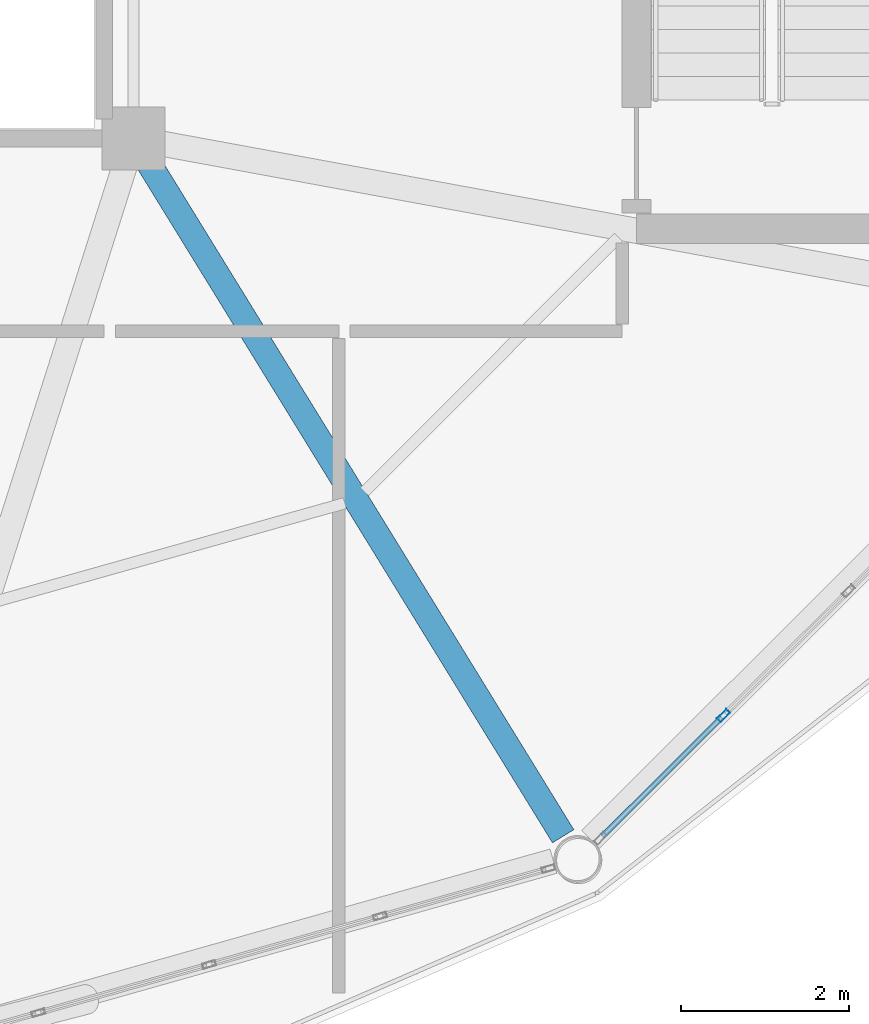
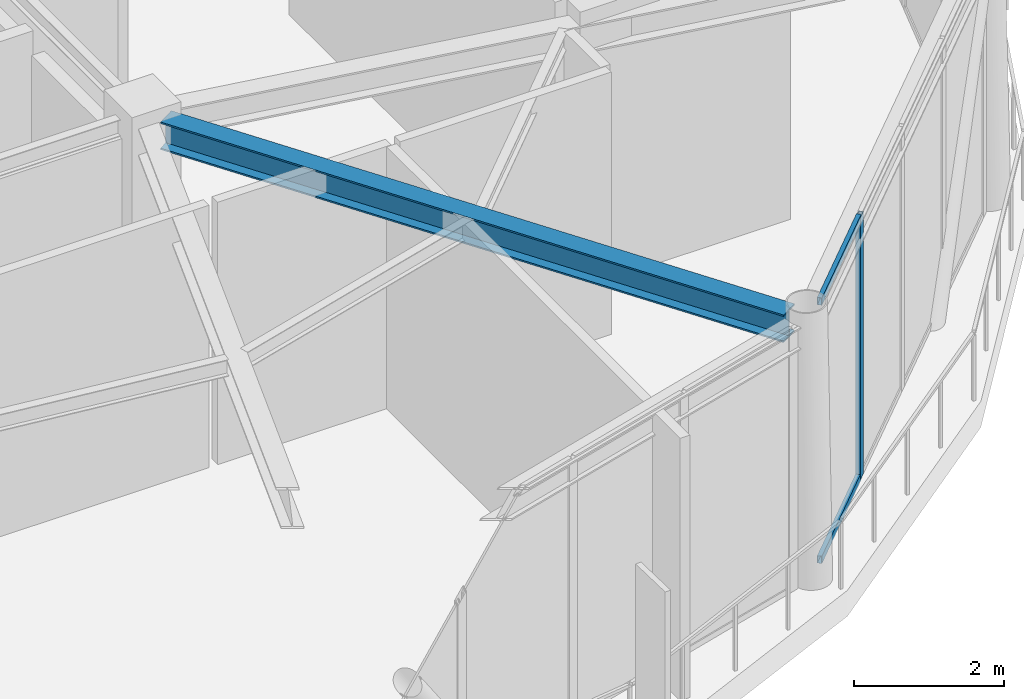
# One storey, part 8 of 26: 3 members, 1 beam, 1 element without a shape of its own.
"""IFC4 building model written with IfcOpenShell, lengths in metres."""

from ifc_helpers import new_model, si_unit, direction, frame, origin, origin_2d, place, context, subcontext, project, spatial, hollow_rectangle, i_section, extrude, material, layer, layer_set, material_profile, profile_set, type_object, element, aggregate, save


model = new_model("IFC4")

# Units and contexts
model_context = context("Model", 3, precision=1e-05, world=origin(), true_north=direction((0.0, 1.0)))
body_context = subcontext(model_context, "Body", "Model", "MODEL_VIEW")
ifc_project = project(units=[si_unit("LENGTHUNIT", "METRE"), si_unit("AREAUNIT", "SQUARE_METRE"), si_unit("VOLUMEUNIT", "CUBIC_METRE"), si_unit("PLANEANGLEUNIT", "RADIAN"), si_unit("MASSUNIT", "GRAM", prefix="KILO")], contexts=[model_context])

# Site, building, storey
site_placement = place(None, origin())
site = spatial("IfcSite", under=ifc_project, at=site_placement, CompositionType="ELEMENT")
building_placement = place(site_placement, origin())
building = spatial("IfcBuilding", under=site, at=building_placement, Name="Varnakorn Sky Granary", CompositionType="ELEMENT")
storey_placement = place(building_placement, frame((0.0, 0.0, 289.5)))
storey = spatial("IfcBuildingStorey", under=building, at=storey_placement, Name="L74", CompositionType="ELEMENT", Elevation=289.5)

# Beam
ifc_material_1 = material(Name="Steel S355JR", Category="steel")
ifc_material_profile_1 = material_profile(ifc_material_1, i_section(OverallWidth=0.300048828125, OverallDepth=0.449951171875, WebThickness=0.013916015625, FlangeThickness=0.02587890625, at=origin_2d()), Name="HE 450 B")
ifc_profile_set_1 = profile_set([ifc_material_profile_1], Name="Steel S355JR")
beam_type = type_object("IfcBeamType", Name="BM-RAD-Z5", PredefinedType="BEAM", material=ifc_profile_set_1)
beam_placement = place(storey_placement, frame((8.5361328125, -6.90234375, 4.034912109375), z_axis=(0.524301268374, -0.851532841399, 0.0), x_axis=(0.851532841399, 0.524301268374, 0.0)))
element("IfcBeam", 1, at=beam_placement, inside=storey, type_object=beam_type, Name="Radial Floor Girder RG11 L74", PredefinedType="BEAM", context=body_context, shape_type="SweptSolid", body=[
    extrude(i_section(OverallWidth=0.300048828125, OverallDepth=0.449951171875, WebThickness=0.013916015625, FlangeThickness=0.02587890625, at=origin_2d()), origin(), (0.0, 0.0, 1.0), 9.42138671875),
])

# Curtain wall, members
ifc_material_2 = material(Name="Anodised Bronze Aluminium Alloy 6063-T6", Category="aluminium")
ifc_layer = layer(ifc_material_2, 0.159912109375, Name="Anodised Bronze Aluminium Alloy 6063-T6")
ifc_layer_set = layer_set([ifc_layer], Name="Anodised Bronze Aluminium Alloy 6063-T6")
curtain_wall_type = type_object("IfcCurtainWallType", Name="CW-OFF-1", PredefinedType="USERDEFINED", material=ifc_layer_set)
curtain_wall_placement = place(storey_placement, origin())
curtain_wall = element("IfcCurtainWall", 2, at=curtain_wall_placement, inside=storey, type_object=curtain_wall_type, Name="Unitised Curtain Wall CW6 CW-L74-B11", ObjectType="CURTAIN WALL", PredefinedType="USERDEFINED")
ifc_material_profile_2 = material_profile(ifc_material_2, hollow_rectangle(XDim=0.06494140625, YDim=0.159912109375, WallThickness=0.00341796875, at=origin_2d()), Name="ALU MULL 65x160")
ifc_profile_set_2 = profile_set([ifc_material_profile_2], Name="Anodised Bronze Aluminium Alloy 6063-T6")
member_type_1 = type_object("IfcMemberType", Name="CW-OFF-1-MULL", PredefinedType="MULLION", material=ifc_profile_set_2)
member_1_placement = place(storey_placement, frame((15.3896484375, -13.484619140625, 0.0), z_axis=(0.0, 0.0, 1.0), x_axis=(0.706103251086, -0.708108889088, 0.0)))
member_1 = element("IfcMember", 3, at=member_1_placement, type_object=member_type_1, Name="CW6 mullion 4", PredefinedType="MULLION", context=body_context, shape_type="SweptSolid", body=[
    extrude(hollow_rectangle(XDim=0.06494140625, YDim=0.159912109375, WallThickness=0.00341796875, at=origin_2d()), origin(), (0.0, 0.0, 1.0), 4.260009765625),
])
ifc_material_profile_3 = material_profile(ifc_material_2, hollow_rectangle(XDim=0.06494140625, YDim=0.1201171875, WallThickness=0.00341796875, at=origin_2d()), Name="ALU TRAN 65x120")
ifc_profile_set_3 = profile_set([ifc_material_profile_3], Name="Anodised Bronze Aluminium Alloy 6063-T6")
member_type_2 = type_object("IfcMemberType", Name="CW-OFF-1-TRAN", PredefinedType="USERDEFINED", material=ifc_profile_set_3)
member_2_placement = place(storey_placement, frame((15.366455078125, -13.507568359375, 0.032470703125), z_axis=(-0.708139007887, -0.706073045448, 0.0), x_axis=(0.706073045448, -0.708139007887, 0.0)))
member_2 = element("IfcMember", 4, at=member_2_placement, type_object=member_type_2, Name="CW6 transom 4.1", ObjectType="TRANSOM", PredefinedType="USERDEFINED", context=body_context, shape_type="SweptSolid", body=[
    extrude(hollow_rectangle(XDim=0.06494140625, YDim=0.1201171875, WallThickness=0.00341796875, at=origin_2d()), origin(), (0.0, 0.0, 1.0), 2.009033203125),
])
member_3_placement = place(storey_placement, frame((15.366455078125, -13.507568359375, 4.2275390625), z_axis=(-0.708139007887, -0.706073045448, 0.0), x_axis=(0.706073045448, -0.708139007887, 0.0)))
member_3 = element("IfcMember", 5, at=member_3_placement, type_object=member_type_2, Name="CW6 transom 4.2", ObjectType="TRANSOM", PredefinedType="USERDEFINED", context=body_context, shape_type="SweptSolid", body=[
    extrude(hollow_rectangle(XDim=0.06494140625, YDim=0.1201171875, WallThickness=0.00341796875, at=origin_2d()), origin(), (0.0, 0.0, 1.0), 2.009033203125),
])
aggregate(curtain_wall, [member_1, member_2, member_3])

save(model, "model.ifc")
